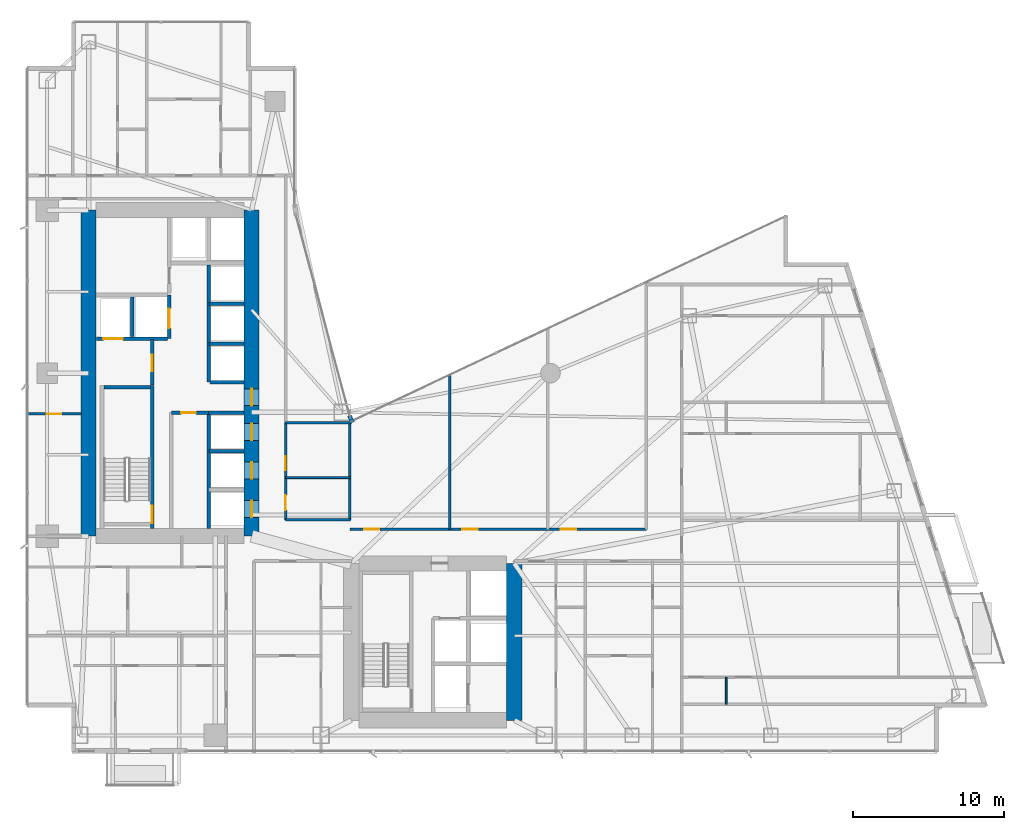
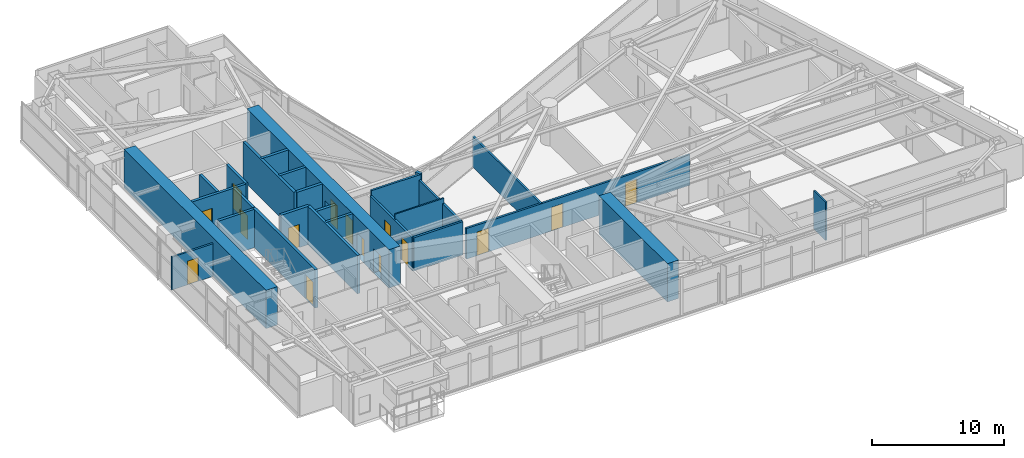
# One storey, part 23 of 30: 27 walls, 15 doors, 15 openings.
"""IFC4 building model written with IfcOpenShell, lengths in metres."""

from ifc_helpers import new_model, si_unit, direction, frame, frame_2d, origin, place, context, subcontext, project, spatial, rectangle, extrude, material, layer, layer_set, type_object, element, fill, save


model = new_model("IFC4")

# Units and contexts
model_context = context("Model", 3, precision=1e-05, world=origin(), true_north=direction((0.0, 1.0)))
body_context = subcontext(model_context, "Body", "Model", "MODEL_VIEW")
ifc_project = project(units=[si_unit("LENGTHUNIT", "METRE"), si_unit("AREAUNIT", "SQUARE_METRE"), si_unit("VOLUMEUNIT", "CUBIC_METRE"), si_unit("PLANEANGLEUNIT", "RADIAN"), si_unit("MASSUNIT", "GRAM", prefix="KILO")], contexts=[model_context])

# Site, building, storey
site_placement = place(None, origin())
site = spatial("IfcSite", under=ifc_project, at=site_placement, CompositionType="ELEMENT")
building_placement = place(site_placement, origin())
building = spatial("IfcBuilding", under=site, at=building_placement, Name="Calvorn Quay Hotel", CompositionType="ELEMENT")
storey_placement = place(building_placement, frame((0.0, 0.0, 77.39990234375)))
storey = spatial("IfcBuildingStorey", under=building, at=storey_placement, Name="L18", CompositionType="ELEMENT", Elevation=77.39990234375)

# Wall
ifc_material_1 = material(Name="Concrete C60", Category="concrete")
ifc_layer_1 = layer(ifc_material_1, 1.0)
ifc_layer_set_1 = layer_set([ifc_layer_1], Name="WL-CORE-1000")
wall_type_1 = type_object("IfcWallType", Name="WL-CORE-1000", PredefinedType="SHEAR", material=ifc_layer_set_1)
wall_1_placement = place(storey_placement, frame((4.199951171875, 16.800048828125, 0.0), z_axis=(0.0, 0.0, 1.0), x_axis=(0.0, 1.0, 0.0)))
element("IfcWall", 1, at=wall_1_placement, inside=storey, type_object=wall_type_1, Name="West Core Shear Wall W (L18)", PredefinedType="SHEAR", context=body_context, shape_type="SweptSolid", body=[
    extrude(rectangle(XDim=21.599853515625, YDim=1.0, at=frame_2d((10.7998046875, 0.0))), origin(), (0.0, 0.0, 1.0), 3.56005859375),
])

# Wall, openings, doors
wall_2_placement = place(storey_placement, frame((15.0, 16.800048828125, 0.0), z_axis=(0.0, 0.0, 1.0), x_axis=(0.0, 1.0, 0.0)))
wall_2 = element("IfcWall", 2, at=wall_2_placement, inside=storey, type_object=wall_type_1, Name="West Core Shear Wall E (L18)", PredefinedType="SHEAR", context=body_context, shape_type="SweptSolid", body=[
    extrude(rectangle(XDim=21.599853515625, YDim=1.0, at=frame_2d((10.7998046875, 0.0))), origin(), (0.0, 0.0, 1.0), 3.56005859375),
])
opening_1_placement = place(wall_2_placement, frame((8.64990234375, 0.0, 0.0)))
opening_1 = element("IfcOpeningElement", 3, at=opening_1_placement, cuts=wall_2, Name="Opening D-L18-CW1", PredefinedType="OPENING", context=body_context, shape_type="SweptSolid", body=[
    extrude(rectangle(XDim=1.10009765625, YDim=2.199951171875, at=frame_2d((0.550048828125, 1.10009765625))), frame((0.0, 0.510009765625, 0.0), z_axis=(0.0, -1.0, 0.0), x_axis=(1.0, 0.0, 0.0)), (0.0, 0.0, 1.0), 1.02001953125),
])
opening_2_placement = place(wall_2_placement, frame((1.25, 0.0, 0.0)))
opening_2 = element("IfcOpeningElement", 4, at=opening_2_placement, cuts=wall_2, Name="Opening LD-L18-L1", PredefinedType="OPENING", context=body_context, shape_type="SweptSolid", body=[
    extrude(rectangle(XDim=1.10009765625, YDim=2.199951171875, at=frame_2d((0.550048828125, 1.10009765625))), frame((0.0, 0.510009765625, 0.0), z_axis=(0.0, -1.0, 0.0), x_axis=(1.0, 0.0, 0.0)), (0.0, 0.0, 1.0), 1.02001953125),
])
opening_3_placement = place(wall_2_placement, frame((3.800048828125, 0.0, 0.0)))
opening_3 = element("IfcOpeningElement", 5, at=opening_3_placement, cuts=wall_2, Name="Opening LD-L18-L2", PredefinedType="OPENING", context=body_context, shape_type="SweptSolid", body=[
    extrude(rectangle(XDim=1.10009765625, YDim=2.199951171875, at=frame_2d((0.550048828125, 1.10009765625))), frame((0.0, 0.510009765625, 0.0), z_axis=(0.0, -1.0, 0.0), x_axis=(1.0, 0.0, 0.0)), (0.0, 0.0, 1.0), 1.02001953125),
])
opening_4_placement = place(wall_2_placement, frame((6.35009765625, 0.0, 0.0)))
opening_4 = element("IfcOpeningElement", 6, at=opening_4_placement, cuts=wall_2, Name="Opening LD-L18-L3", PredefinedType="OPENING", context=body_context, shape_type="SweptSolid", body=[
    extrude(rectangle(XDim=1.10009765625, YDim=2.199951171875, at=frame_2d((0.550048828125, 1.10009765625))), frame((0.0, 0.510009765625, 0.0), z_axis=(0.0, -1.0, 0.0), x_axis=(1.0, 0.0, 0.0)), (0.0, 0.0, 1.0), 1.02001953125),
])
ifc_material_2 = material(Name="Smoke-Sealed Steel Class A Fire Door", Category="steel")
door_type_1 = type_object("IfcDoorType", Name="DR-FFLOBBY-1100", OperationType="NOTDEFINED", PredefinedType="DOOR", material=ifc_material_2)
door_1_placement = place(opening_1_placement, origin())
door_1 = element("IfcDoor", 7, at=door_1_placement, inside=storey, type_object=door_type_1, Name="West Core Vestibule Fire Door (L18)", OperationType="SINGLE_SWING_LEFT", OverallHeight=2.199951171875, OverallWidth=1.10009765625, PredefinedType="DOOR", context=body_context, shape_type="SweptSolid", body=[
    extrude(rectangle(XDim=1.10009765625, YDim=2.199951171875, at=frame_2d((0.550048828125, 1.10009765625))), frame((0.0, 0.02490234375, 0.0), z_axis=(0.0, -1.0, 0.0), x_axis=(1.0, 0.0, 0.0)), (0.0, 0.0, 1.0), 0.050048828125),
])
fill(opening_1, door_1)
ifc_material_3 = material(Name="Brushed Stainless Steel Sliding Lift Landing Door", Category="steel")
door_type_2 = type_object("IfcDoorType", Name="DR-LIFT-PASS-1100", OperationType="NOTDEFINED", PredefinedType="DOOR", material=ifc_material_3)
door_2_placement = place(opening_2_placement, origin())
door_2 = element("IfcDoor", 8, at=door_2_placement, inside=storey, type_object=door_type_2, Name="Low-Rise Lift PL-L1 Landing Door (L18)", OperationType="DOUBLE_DOOR_SLIDING", OverallHeight=2.199951171875, OverallWidth=1.10009765625, PredefinedType="DOOR", context=body_context, shape_type="SweptSolid", body=[
    extrude(rectangle(XDim=1.10009765625, YDim=2.199951171875, at=frame_2d((0.550048828125, 1.10009765625))), frame((0.0, 0.02490234375, 0.0), z_axis=(0.0, -1.0, 0.0), x_axis=(1.0, 0.0, 0.0)), (0.0, 0.0, 1.0), 0.050048828125),
])
fill(opening_2, door_2)
door_3_placement = place(opening_3_placement, origin())
door_3 = element("IfcDoor", 9, at=door_3_placement, inside=storey, type_object=door_type_2, Name="Low-Rise Lift PL-L2 Landing Door (L18)", OperationType="DOUBLE_DOOR_SLIDING", OverallHeight=2.199951171875, OverallWidth=1.10009765625, PredefinedType="DOOR", context=body_context, shape_type="SweptSolid", body=[
    extrude(rectangle(XDim=1.10009765625, YDim=2.199951171875, at=frame_2d((0.550048828125, 1.10009765625))), frame((0.0, 0.02490234375, 0.0), z_axis=(0.0, -1.0, 0.0), x_axis=(1.0, 0.0, 0.0)), (0.0, 0.0, 1.0), 0.050048828125),
])
fill(opening_3, door_3)
door_4_placement = place(opening_4_placement, origin())
door_4 = element("IfcDoor", 10, at=door_4_placement, inside=storey, type_object=door_type_2, Name="Low-Rise Lift PL-L3 Landing Door (L18)", OperationType="DOUBLE_DOOR_SLIDING", OverallHeight=2.199951171875, OverallWidth=1.10009765625, PredefinedType="DOOR", context=body_context, shape_type="SweptSolid", body=[
    extrude(rectangle(XDim=1.10009765625, YDim=2.199951171875, at=frame_2d((0.550048828125, 1.10009765625))), frame((0.0, 0.02490234375, 0.0), z_axis=(0.0, -1.0, 0.0), x_axis=(1.0, 0.0, 0.0)), (0.0, 0.0, 1.0), 0.050048828125),
])
fill(opening_4, door_4)

# Walls
wall_3_placement = place(storey_placement, frame((32.39990234375, 4.60009765625, 0.0), z_axis=(0.0, 0.0, 1.0), x_axis=(0.0, 1.0, 0.0)))
element("IfcWall", 11, at=wall_3_placement, inside=storey, type_object=wall_type_1, Name="East Core Shear Wall E (L18)", PredefinedType="SHEAR", context=body_context, shape_type="SweptSolid", body=[
    extrude(rectangle(XDim=10.39990234375, YDim=1.0, at=frame_2d((5.199951171875, 0.0))), origin(), (0.0, 0.0, 1.0), 3.56005859375),
])
ifc_material_4 = material(Name="Acoustic Fireboard Steel-Stud Partition", Category="steel")
ifc_layer_2 = layer(ifc_material_4, 0.179931640625)
ifc_layer_set_2 = layer_set([ifc_layer_2], Name="WL-CORR-FIRE-180")
wall_type_2 = type_object("IfcWallType", Name="WL-CORR-FIRE-180", PredefinedType="PARTITIONING", material=ifc_layer_set_2)
wall_4_placement = place(storey_placement, frame((17.25, 17.8798828125, 0.0), z_axis=(0.0, 0.0, 1.0), x_axis=(1.0, 0.0, 0.0)))
element("IfcWall", 12, at=wall_4_placement, inside=storey, type_object=wall_type_2, Name="Partition Wall L18-WL-HK-S", PredefinedType="PARTITIONING", context=body_context, shape_type="SweptSolid", body=[
    extrude(rectangle(XDim=4.300048828125, YDim=0.179931640625, at=frame_2d((2.14990234375, 0.0))), origin(), (0.0, 0.0, 1.0), 3.090087890625),
])
wall_5_placement = place(storey_placement, frame((17.25, 24.320068359375, 0.0), z_axis=(0.0, 0.0, 1.0), x_axis=(1.0, 0.0, 0.0)))
element("IfcWall", 13, at=wall_5_placement, inside=storey, type_object=wall_type_2, Name="Partition Wall L18-WL-HK-N", PredefinedType="PARTITIONING", context=body_context, shape_type="SweptSolid", body=[
    extrude(rectangle(XDim=4.35009765625, YDim=0.179931640625, at=frame_2d((2.175048828125, 0.0))), origin(), (0.0, 0.0, 1.0), 3.56005859375),
])
wall_6_placement = place(storey_placement, frame((21.5, 17.8798828125, 0.0), z_axis=(0.0, 0.0, 1.0), x_axis=(0.0, 1.0, 0.0)))
element("IfcWall", 14, at=wall_6_placement, inside=storey, type_object=wall_type_2, Name="Partition Wall L18-WL-HK-E", PredefinedType="PARTITIONING", context=body_context, shape_type="SweptSolid", body=[
    extrude(rectangle(XDim=6.440185546875, YDim=0.179931640625, at=frame_2d((3.22021484375, 0.0))), origin(), (0.0, 0.0, 1.0), 3.090087890625),
])

# Wall, openings, doors
wall_7_placement = place(storey_placement, frame((17.25, 17.8798828125, 0.0), z_axis=(0.0, 0.0, 1.0), x_axis=(0.0, 1.0, 0.0)))
wall_7 = element("IfcWall", 15, at=wall_7_placement, inside=storey, type_object=wall_type_2, Name="Partition Wall L18-WL-HK-W", PredefinedType="PARTITIONING", context=body_context, shape_type="SweptSolid", body=[
    extrude(rectangle(XDim=6.440185546875, YDim=0.179931640625, at=frame_2d((3.22021484375, 0.0))), origin(), (0.0, 0.0, 1.0), 3.090087890625),
])
opening_5_placement = place(wall_7_placement, frame((0.64990234375, 0.0, 0.0)))
opening_5 = element("IfcOpeningElement", 16, at=opening_5_placement, cuts=wall_7, Name="Opening D-L18-HK", PredefinedType="OPENING", context=body_context, shape_type="SweptSolid", body=[
    extrude(rectangle(XDim=0.97998046875, YDim=2.14990234375, at=frame_2d((0.489990234375, 1.074951171875))), frame((0.0, 0.099853515625, 0.0), z_axis=(0.0, -1.0, 0.0), x_axis=(1.0, 0.0, 0.0)), (0.0, 0.0, 1.0), 0.199951171875),
])
opening_6_placement = place(wall_7_placement, frame((3.27001953125, 0.0, 0.0)))
opening_6 = element("IfcOpeningElement", 17, at=opening_6_placement, cuts=wall_7, Name="Opening D-L18-NCP", PredefinedType="OPENING", context=body_context, shape_type="SweptSolid", body=[
    extrude(rectangle(XDim=0.9599609375, YDim=2.199951171875, at=frame_2d((0.47998046875, 1.10009765625))), frame((0.0, 0.099853515625, 0.0), z_axis=(0.0, -1.0, 0.0), x_axis=(1.0, 0.0, 0.0)), (0.0, 0.0, 1.0), 0.199951171875),
])
ifc_material_5 = material(Name="Painted Steel Housekeeping/Riser Fire Door", Category="steel")
door_type_3 = type_object("IfcDoorType", Name="DR-SERVICE-980", OperationType="NOTDEFINED", PredefinedType="DOOR", material=ifc_material_5)
door_5_placement = place(opening_5_placement, origin())
door_5 = element("IfcDoor", 18, at=door_5_placement, inside=storey, type_object=door_type_3, Name="Floor Housekeeping Door (L18)", OperationType="SINGLE_SWING_LEFT", OverallHeight=2.14990234375, OverallWidth=0.97998046875, PredefinedType="DOOR", context=body_context, shape_type="SweptSolid", body=[
    extrude(rectangle(XDim=0.97998046875, YDim=2.14990234375, at=frame_2d((0.489990234375, 1.074951171875))), frame((0.0, 0.02490234375, 0.0), z_axis=(0.0, -1.0, 0.0), x_axis=(1.0, 0.0, 0.0)), (0.0, 0.0, 1.0), 0.050048828125),
])
fill(opening_5, door_5)
ifc_material_6 = material(Name="Solid Timber Internal Suite Door", Category="wood")
door_type_4 = type_object("IfcDoorType", Name="DR-SUITE-INT-960", OperationType="NOTDEFINED", PredefinedType="DOOR", material=ifc_material_6)
door_6_placement = place(opening_6_placement, origin())
door_6 = element("IfcDoor", 19, at=door_6_placement, inside=storey, type_object=door_type_4, Name="Reading Alcove Door (L18)", OperationType="SINGLE_SWING_RIGHT", OverallHeight=2.199951171875, OverallWidth=0.9599609375, PredefinedType="DOOR", context=body_context, shape_type="SweptSolid", body=[
    extrude(rectangle(XDim=0.9599609375, YDim=2.199951171875, at=frame_2d((0.47998046875, 1.10009765625))), frame((0.0, 0.02490234375, 0.0), z_axis=(0.0, -1.0, 0.0), x_axis=(1.0, 0.0, 0.0)), (0.0, 0.0, 1.0), 0.050048828125),
])
fill(opening_6, door_6)

wall_8_placement = place(storey_placement, frame((21.5, 17.25, 0.0), z_axis=(0.0, 0.0, 1.0), x_axis=(1.0, 0.0, 0.0)))
wall_8 = element("IfcWall", 20, at=wall_8_placement, inside=storey, type_object=wall_type_2, Name="Partition Wall L18-WL-CORR-NE-N", PredefinedType="PARTITIONING", context=body_context, shape_type="SweptSolid", body=[
    extrude(rectangle(XDim=19.64990234375, YDim=0.179931640625, at=frame_2d((9.824951171875, 0.0))), origin(), (0.0, 0.0, 1.0), 2.840087890625),
])
opening_7_placement = place(wall_8_placement, frame((0.949951171875, 0.0, 0.0)))
opening_7 = element("IfcOpeningElement", 21, at=opening_7_placement, cuts=wall_8, Name="Opening D-L18-NS1", PredefinedType="OPENING", context=body_context, shape_type="SweptSolid", body=[
    extrude(rectangle(XDim=1.02001953125, YDim=2.199951171875, at=frame_2d((0.510009765625, 1.10009765625))), frame((0.0, 0.099853515625, 0.0), z_axis=(0.0, -1.0, 0.0), x_axis=(1.0, 0.0, 0.0)), (0.0, 0.0, 1.0), 0.199951171875),
])
opening_8_placement = place(wall_8_placement, frame((7.469970703125, 0.0, 0.0)))
opening_8 = element("IfcOpeningElement", 22, at=opening_8_placement, cuts=wall_8, Name="Opening D-L18-NS2", PredefinedType="OPENING", context=body_context, shape_type="SweptSolid", body=[
    extrude(rectangle(XDim=1.02001953125, YDim=2.199951171875, at=frame_2d((0.510009765625, 1.10009765625))), frame((0.0, 0.099853515625, 0.0), z_axis=(0.0, -1.0, 0.0), x_axis=(1.0, 0.0, 0.0)), (0.0, 0.0, 1.0), 0.199951171875),
])
opening_9_placement = place(wall_8_placement, frame((13.97998046875, 0.0, 0.0)))
opening_9 = element("IfcOpeningElement", 23, at=opening_9_placement, cuts=wall_8, Name="Opening D-L18-NS3", PredefinedType="OPENING", context=body_context, shape_type="SweptSolid", body=[
    extrude(rectangle(XDim=1.02001953125, YDim=2.199951171875, at=frame_2d((0.510009765625, 1.10009765625))), frame((0.0, 0.099853515625, 0.0), z_axis=(0.0, -1.0, 0.0), x_axis=(1.0, 0.0, 0.0)), (0.0, 0.0, 1.0), 0.199951171875),
])
ifc_material_7 = material(Name="Solid-Core Walnut Veneer Hotel Fire Door")
door_type_5 = type_object("IfcDoorType", Name="DR-GUEST-ENTRY-1020", OperationType="NOTDEFINED", PredefinedType="DOOR", material=ifc_material_7)
door_7_placement = place(opening_7_placement, origin())
door_7 = element("IfcDoor", 24, at=door_7_placement, inside=storey, type_object=door_type_5, Name="Conservatory Salon Door 1 (L18)", OperationType="SINGLE_SWING_RIGHT", OverallHeight=2.199951171875, OverallWidth=1.02001953125, PredefinedType="DOOR", context=body_context, shape_type="SweptSolid", body=[
    extrude(rectangle(XDim=1.02001953125, YDim=2.199951171875, at=frame_2d((0.510009765625, 1.10009765625))), frame((0.0, 0.02490234375, 0.0), z_axis=(0.0, -1.0, 0.0), x_axis=(1.0, 0.0, 0.0)), (0.0, 0.0, 1.0), 0.050048828125),
])
fill(opening_7, door_7)
door_8_placement = place(opening_8_placement, origin())
door_8 = element("IfcDoor", 25, at=door_8_placement, inside=storey, type_object=door_type_5, Name="Conservatory Salon Door 2 (L18)", OperationType="SINGLE_SWING_LEFT", OverallHeight=2.199951171875, OverallWidth=1.02001953125, PredefinedType="DOOR", context=body_context, shape_type="SweptSolid", body=[
    extrude(rectangle(XDim=1.02001953125, YDim=2.199951171875, at=frame_2d((0.510009765625, 1.10009765625))), frame((0.0, 0.02490234375, 0.0), z_axis=(0.0, -1.0, 0.0), x_axis=(1.0, 0.0, 0.0)), (0.0, 0.0, 1.0), 0.050048828125),
])
fill(opening_8, door_8)
door_9_placement = place(opening_9_placement, origin())
door_9 = element("IfcDoor", 26, at=door_9_placement, inside=storey, type_object=door_type_5, Name="Conservatory Salon Door 3 (L18)", OperationType="SINGLE_SWING_RIGHT", OverallHeight=2.199951171875, OverallWidth=1.02001953125, PredefinedType="DOOR", context=body_context, shape_type="SweptSolid", body=[
    extrude(rectangle(XDim=1.02001953125, YDim=2.199951171875, at=frame_2d((0.510009765625, 1.10009765625))), frame((0.0, 0.02490234375, 0.0), z_axis=(0.0, -1.0, 0.0), x_axis=(1.0, 0.0, 0.0)), (0.0, 0.0, 1.0), 0.050048828125),
])
fill(opening_9, door_9)

# Walls
ifc_material_8 = material(Name="Moisture-Resistant Tile-Backed Partition")
ifc_layer_3 = layer(ifc_material_8, 0.125)
ifc_layer_set_3 = layer_set([ifc_layer_3], Name="WL-ENSUITE-125")
wall_type_3 = type_object("IfcWallType", Name="WL-ENSUITE-125", PredefinedType="PARTITIONING", material=ifc_layer_set_3)
wall_9_placement = place(storey_placement, frame((17.25, 20.679931640625, 0.0), z_axis=(0.0, 0.0, 1.0), x_axis=(1.0, 0.0, 0.0)))
element("IfcWall", 27, at=wall_9_placement, inside=storey, type_object=wall_type_3, Name="Partition Wall L18-WL-HK-M", PredefinedType="PARTITIONING", context=body_context, shape_type="SweptSolid", body=[
    extrude(rectangle(XDim=4.300048828125, YDim=0.125, at=frame_2d((2.14990234375, 0.0))), origin(), (0.0, 0.0, 1.0), 3.56005859375),
])
wall_10_placement = place(storey_placement, frame((46.449951171875, 5.659912109375, 0.0), z_axis=(0.0, 0.0, 1.0), x_axis=(0.0, 1.0, 0.0)))
element("IfcWall", 28, at=wall_10_placement, inside=storey, type_object=wall_type_3, Name="Partition Wall L18-WL-U08-BDV", PredefinedType="PARTITIONING", context=body_context, shape_type="SweptSolid", body=[
    extrude(rectangle(XDim=1.7900390625, YDim=0.125, at=frame_2d((0.89501953125, 0.0))), origin(), (0.0, 0.0, 1.0), 3.56005859375),
])
ifc_material_9 = material(Name="Concrete C40", Category="concrete")
ifc_layer_4 = layer(ifc_material_9, 0.320068359375)
ifc_layer_set_4 = layer_set([ifc_layer_4], Name="WL-EXT-SPANDREL-320")
wall_type_4 = type_object("IfcWallType", Name="WL-EXT-SPANDREL-320", PredefinedType="SOLIDWALL", material=ifc_layer_set_4)
wall_11_placement = place(storey_placement, frame((21.679931640625, 24.340087890625, 0.0), z_axis=(0.0, 0.0, 1.0), x_axis=(-0.40758134973, 0.913168901875, 0.0)))
element("IfcWall", 29, at=wall_11_placement, inside=storey, type_object=wall_type_4, Name="Inner Court Corner Pier L18-ICJ1", PredefinedType="SOLIDWALL", context=body_context, shape_type="SweptSolid", body=[
    extrude(rectangle(XDim=0.470703125, YDim=0.280029296875, at=frame_2d((0.2353515625, 0.0))), origin(), (0.0, 0.0, 1.0), 3.56005859375),
])

# Wall, opening, door
ifc_material_10 = material(Name="Double-Stud Acoustic Gypsum Partition")
ifc_layer_5 = layer(ifc_material_10, 0.159912109375)
ifc_layer_set_5 = layer_set([ifc_layer_5], Name="WL-INTERSUITE-160")
wall_type_5 = type_object("IfcWallType", Name="WL-INTERSUITE-160", PredefinedType="PARTITIONING", material=ifc_layer_set_5)
wall_12_placement = place(storey_placement, frame((0.080078125, 24.89990234375, 0.0), z_axis=(0.0, 0.0, 1.0), x_axis=(1.0, 0.0, 0.0)))
wall_12 = element("IfcWall", 30, at=wall_12_placement, inside=storey, type_object=wall_type_5, Name="Partition Wall L18-WL-WBAY-DIV", PredefinedType="PARTITIONING", context=body_context, shape_type="SweptSolid", body=[
    extrude(rectangle(XDim=3.64990234375, YDim=0.159912109375, at=frame_2d((1.824951171875, 0.0))), origin(), (0.0, 0.0, 1.0), 3.0400390625),
])
opening_10_placement = place(wall_12_placement, frame((1.35009765625, 0.0, 0.0)))
opening_10 = element("IfcOpeningElement", 31, at=opening_10_placement, cuts=wall_12, Name="Opening D-L18-WBD", PredefinedType="OPENING", context=body_context, shape_type="SweptSolid", body=[
    extrude(rectangle(XDim=0.9599609375, YDim=2.199951171875, at=frame_2d((0.47998046875, 1.10009765625))), frame((0.0, 0.08984375, 0.0), z_axis=(0.0, -1.0, 0.0), x_axis=(1.0, 0.0, 0.0)), (0.0, 0.0, 1.0), 0.179931640625),
])
door_10_placement = place(opening_10_placement, origin())
door_10 = element("IfcDoor", 32, at=door_10_placement, inside=storey, type_object=door_type_4, Name="West Bay Connecting Door (L18)", OperationType="SINGLE_SWING_LEFT", OverallHeight=2.199951171875, OverallWidth=0.9599609375, PredefinedType="DOOR", context=body_context, shape_type="SweptSolid", body=[
    extrude(rectangle(XDim=0.9599609375, YDim=2.199951171875, at=frame_2d((0.47998046875, 1.10009765625))), frame((0.0, 0.02490234375, 0.0), z_axis=(0.0, -1.0, 0.0), x_axis=(1.0, 0.0, 0.0)), (0.0, 0.0, 1.0), 0.050048828125),
])
fill(opening_10, door_10)

# Wall
wall_13_placement = place(storey_placement, frame((28.1201171875, 17.25, 0.0), z_axis=(0.0, 0.0, 1.0), x_axis=(0.0, 1.0, 0.0)))
element("IfcWall", 33, at=wall_13_placement, inside=storey, type_object=wall_type_5, Name="Partition Wall L18-WL-NE-DIV-1", PredefinedType="PARTITIONING", context=body_context, shape_type="SweptSolid", body=[
    extrude(rectangle(XDim=10.31005859375, YDim=0.159912109375, at=frame_2d((5.155029296875, 0.0))), origin(), (0.0, 0.0, 1.0), 2.840087890625),
])

# Wall, opening, door
ifc_material_11 = material(Name="Concrete C40", Category="concrete")
ifc_layer_6 = layer(ifc_material_11, 0.239990234375)
ifc_layer_set_6 = layer_set([ifc_layer_6], Name="WL-SHAFT-240")
wall_type_6 = type_object("IfcWallType", Name="WL-SHAFT-240", PredefinedType="SOLIDWALL", material=ifc_layer_set_6)
wall_14_placement = place(storey_placement, frame((8.419921875, 17.300048828125, 0.0), z_axis=(0.0, 0.0, 1.0), x_axis=(0.0, 1.0, 0.0)))
wall_14 = element("IfcWall", 34, at=wall_14_placement, inside=storey, type_object=wall_type_6, Name="Stair STW Shaft Wall E (L18)", PredefinedType="SOLIDWALL", context=body_context, shape_type="SweptSolid", body=[
    extrude(rectangle(XDim=9.489990234375, YDim=0.239990234375, at=frame_2d((4.7451171875, 0.0))), origin(), (0.0, 0.0, 1.0), 3.56005859375),
])
opening_11_placement = place(wall_14_placement, frame((0.35009765625, 0.0, 0.0)))
opening_11 = element("IfcOpeningElement", 35, at=opening_11_placement, cuts=wall_14, Name="Opening D-L18-STW", PredefinedType="OPENING", context=body_context, shape_type="SweptSolid", body=[
    extrude(rectangle(XDim=1.14990234375, YDim=2.199951171875, at=frame_2d((0.574951171875, 1.10009765625))), frame((0.0, 0.1298828125, 0.0), z_axis=(0.0, -1.0, 0.0), x_axis=(1.0, 0.0, 0.0)), (0.0, 0.0, 1.0), 0.260009765625),
])
ifc_material_12 = material(Name="Galvanised Steel Class A Fire Door", Category="steel")
door_type_6 = type_object("IfcDoorType", Name="DR-STAIR-SMOKE-1150", OperationType="NOTDEFINED", PredefinedType="DOOR", material=ifc_material_12)
door_11_placement = place(opening_11_placement, origin())
door_11 = element("IfcDoor", 36, at=door_11_placement, inside=storey, type_object=door_type_6, Name="Stair ST-W Fire Door (L18)", OperationType="SINGLE_SWING_LEFT", OverallHeight=2.199951171875, OverallWidth=1.14990234375, PredefinedType="DOOR", context=body_context, shape_type="SweptSolid", body=[
    extrude(rectangle(XDim=1.14990234375, YDim=2.199951171875, at=frame_2d((0.574951171875, 1.10009765625))), frame((0.0, 0.02490234375, 0.0), z_axis=(0.0, -1.0, 0.0), x_axis=(1.0, 0.0, 0.0)), (0.0, 0.0, 1.0), 0.050048828125),
])
fill(opening_11, door_11)

# Walls
wall_15_placement = place(storey_placement, frame((5.199951171875, 26.669921875, 0.0), z_axis=(0.0, 0.0, 1.0), x_axis=(1.0, 0.0, 0.0)))
element("IfcWall", 37, at=wall_15_placement, inside=storey, type_object=wall_type_6, Name="Stair STW Shaft Wall N (L18)", PredefinedType="SOLIDWALL", context=body_context, shape_type="SweptSolid", body=[
    extrude(rectangle(XDim=3.10009765625, YDim=0.239990234375, at=frame_2d((1.550048828125, 0.0))), origin(), (0.0, 0.0, 1.0), 3.56005859375),
])
for number, where, z_axis, x_axis, name in (
    (38, (12.179931640625, 22.425048828125, 0.0), (0.0, 0.0, 1.0), (1.0, 0.0, 0.0), "Lift Hoistway Divider Wall PLL23 (L18)"),
    (39, (12.179931640625, 29.550048828125, 0.0), (0.0, 0.0, 1.0), (1.0, 0.0, 0.0), "Lift Hoistway Divider Wall PLM12 (L18)"),
    (40, (12.179931640625, 32.199951171875, 0.0), (0.0, 0.0, 1.0), (1.0, 0.0, 0.0), "Lift Hoistway Divider Wall PLM23 (L18)"),
):
    element("IfcWall", number, at=place(storey_placement, frame(where, z_axis=z_axis, x_axis=x_axis)), inside=storey, type_object=wall_type_6, Name=name, PredefinedType="SOLIDWALL", context=body_context, shape_type="SweptSolid", body=[
        extrude(rectangle(XDim=2.320068359375, YDim=0.239990234375, at=frame_2d((1.16015625, 0.0))), origin(), (0.0, 0.0, 1.0), 3.56005859375),
    ])

# Wall, opening, door
wall_16_placement = place(storey_placement, frame((8.419921875, 26.820068359375, 0.0), z_axis=(0.0, 0.0, 1.0), x_axis=(0.0, 1.0, 0.0)))
wall_16 = element("IfcWall", 41, at=wall_16_placement, inside=storey, type_object=wall_type_6, Name="Partition Wall L18-WL-CWW-FFL-E", PredefinedType="SOLIDWALL", context=body_context, shape_type="SweptSolid", body=[
    extrude(rectangle(XDim=3.0, YDim=0.239990234375, at=frame_2d((1.5, 0.0))), origin(), (0.0, 0.0, 1.0), 3.56005859375),
])
opening_12_placement = place(wall_16_placement, frame((0.89990234375, 0.0, 0.0)))
opening_12 = element("IfcOpeningElement", 42, at=opening_12_placement, cuts=wall_16, Name="Opening D-L18-FLW", PredefinedType="OPENING", context=body_context, shape_type="SweptSolid", body=[
    extrude(rectangle(XDim=1.10009765625, YDim=2.199951171875, at=frame_2d((0.550048828125, 1.10009765625))), frame((0.0, 0.1298828125, 0.0), z_axis=(0.0, -1.0, 0.0), x_axis=(1.0, 0.0, 0.0)), (0.0, 0.0, 1.0), 0.260009765625),
])
door_12_placement = place(opening_12_placement, origin())
door_12 = element("IfcDoor", 43, at=door_12_placement, inside=storey, type_object=door_type_1, Name="West Firefighting Lobby Fire Door (L18)", OperationType="SINGLE_SWING_RIGHT", OverallHeight=2.199951171875, OverallWidth=1.10009765625, PredefinedType="DOOR", context=body_context, shape_type="SweptSolid", body=[
    extrude(rectangle(XDim=1.10009765625, YDim=2.199951171875, at=frame_2d((0.550048828125, 1.10009765625))), frame((0.0, 0.02490234375, 0.0), z_axis=(0.0, -1.0, 0.0), x_axis=(1.0, 0.0, 0.0)), (0.0, 0.0, 1.0), 0.050048828125),
])
fill(opening_12, door_12)

wall_17_placement = place(storey_placement, frame((4.719970703125, 29.8798828125, 0.0), z_axis=(0.0, 0.0, 1.0), x_axis=(1.0, 0.0, 0.0)))
wall_17 = element("IfcWall", 44, at=wall_17_placement, inside=storey, type_object=wall_type_6, Name="Partition Wall L18-WL-CWW-FLW-S", PredefinedType="SOLIDWALL", context=body_context, shape_type="SweptSolid", body=[
    extrude(rectangle(XDim=4.699951171875, YDim=0.239990234375, at=frame_2d((2.35009765625, 0.0))), origin(), (0.0, 0.0, 1.0), 3.56005859375),
])
opening_13_placement = place(wall_17_placement, frame((0.449951171875, 0.0, 0.0)))
opening_13 = element("IfcOpeningElement", 45, at=opening_13_placement, cuts=wall_17, Name="Opening LD-L18-FLW1", PredefinedType="OPENING", context=body_context, shape_type="SweptSolid", body=[
    extrude(rectangle(XDim=1.300048828125, YDim=2.35009765625, at=frame_2d((0.64990234375, 1.175048828125))), frame((0.0, 0.1298828125, 0.0), z_axis=(0.0, -1.0, 0.0), x_axis=(1.0, 0.0, 0.0)), (0.0, 0.0, 1.0), 0.260009765625),
])
ifc_material_13 = material(Name="Champagne-Bronze Sliding Express Lift Landing Door")
door_type_7 = type_object("IfcDoorType", Name="DR-LIFT-SHUTTLE-1300", OperationType="NOTDEFINED", PredefinedType="DOOR", material=ifc_material_13)
door_13_placement = place(opening_13_placement, origin())
door_13 = element("IfcDoor", 46, at=door_13_placement, inside=storey, type_object=door_type_7, Name="Firefighting Lift FL-W1 Landing Door (L18)", OperationType="DOUBLE_DOOR_SLIDING", OverallHeight=2.35009765625, OverallWidth=1.300048828125, PredefinedType="DOOR", context=body_context, shape_type="SweptSolid", body=[
    extrude(rectangle(XDim=1.300048828125, YDim=2.35009765625, at=frame_2d((0.64990234375, 1.175048828125))), frame((0.0, 0.02490234375, 0.0), z_axis=(0.0, -1.0, 0.0), x_axis=(1.0, 0.0, 0.0)), (0.0, 0.0, 1.0), 0.050048828125),
])
fill(opening_13, door_13)

# Wall
wall_18_placement = place(storey_placement, frame((7.10009765625, 30.02001953125, 0.0), z_axis=(0.0, 0.0, 1.0), x_axis=(0.0, 1.0, 0.0)))
element("IfcWall", 47, at=wall_18_placement, inside=storey, type_object=wall_type_6, Name="Partition Wall L18-WL-CWW-FLW-DIV", PredefinedType="SOLIDWALL", context=body_context, shape_type="SweptSolid", body=[
    extrude(rectangle(XDim=2.6298828125, YDim=0.239990234375, at=frame_2d((1.31494140625, 0.0))), origin(), (0.0, 0.0, 1.0), 3.56005859375),
])

# Wall, opening, door
wall_19_placement = place(storey_placement, frame((9.5400390625, 29.8798828125, 0.0), z_axis=(0.0, 0.0, 1.0), x_axis=(0.0, 1.0, 0.0)))
wall_19 = element("IfcWall", 48, at=wall_19_placement, inside=storey, type_object=wall_type_6, Name="Partition Wall L18-WL-CWW-SLW-E", PredefinedType="SOLIDWALL", context=body_context, shape_type="SweptSolid", body=[
    extrude(rectangle(XDim=2.900146484375, YDim=0.239990234375, at=frame_2d((1.4501953125, 0.0))), origin(), (0.0, 0.0, 1.0), 3.56005859375),
])
opening_14_placement = place(wall_19_placement, frame((0.699951171875, 0.0, 0.0)))
opening_14 = element("IfcOpeningElement", 49, at=opening_14_placement, cuts=wall_19, Name="Opening LD-L18-SLW1", PredefinedType="OPENING", context=body_context, shape_type="SweptSolid", body=[
    extrude(rectangle(XDim=1.300048828125, YDim=2.35009765625, at=frame_2d((0.64990234375, 1.175048828125))), frame((0.0, 0.1298828125, 0.0), z_axis=(0.0, -1.0, 0.0), x_axis=(1.0, 0.0, 0.0)), (0.0, 0.0, 1.0), 0.260009765625),
])
door_14_placement = place(opening_14_placement, origin())
door_14 = element("IfcDoor", 50, at=door_14_placement, inside=storey, type_object=door_type_7, Name="Service Lift SL-W1 Landing Door (L18)", OperationType="DOUBLE_DOOR_SLIDING", OverallHeight=2.35009765625, OverallWidth=1.300048828125, PredefinedType="DOOR", context=body_context, shape_type="SweptSolid", body=[
    extrude(rectangle(XDim=1.300048828125, YDim=2.35009765625, at=frame_2d((0.64990234375, 1.175048828125))), frame((0.0, 0.02490234375, 0.0), z_axis=(0.0, -1.0, 0.0), x_axis=(1.0, 0.0, 0.0)), (0.0, 0.0, 1.0), 0.050048828125),
])
fill(opening_14, door_14)

# Wall
wall_20_placement = place(storey_placement, frame((12.14990234375, 17.320068359375, 0.0), z_axis=(0.0, 0.0, 1.0), x_axis=(0.0, 1.0, 0.0)))
element("IfcWall", 51, at=wall_20_placement, inside=storey, type_object=wall_type_6, Name="Partition Wall L18-WL-CWW-PLL-W", PredefinedType="SOLIDWALL", context=body_context, shape_type="SweptSolid", body=[
    extrude(rectangle(XDim=7.64990234375, YDim=0.239990234375, at=frame_2d((3.824951171875, 0.0))), origin(), (0.0, 0.0, 1.0), 3.56005859375),
])

# Wall, opening, door
wall_21_placement = place(storey_placement, frame((9.679931640625, 24.969970703125, 0.0), z_axis=(0.0, 0.0, 1.0), x_axis=(1.0, 0.0, 0.0)))
wall_21 = element("IfcWall", 52, at=wall_21_placement, inside=storey, type_object=wall_type_6, Name="Partition Wall L18-WL-CWW-SER-N", PredefinedType="SOLIDWALL", context=body_context, shape_type="SweptSolid", body=[
    extrude(rectangle(XDim=2.469970703125, YDim=0.239990234375, at=frame_2d((1.23486328125, 0.0))), origin(), (0.0, 0.0, 1.0), 3.56005859375),
])
opening_15_placement = place(wall_21_placement, frame((0.64990234375, 0.0, 0.0)))
opening_15 = element("IfcOpeningElement", 53, at=opening_15_placement, cuts=wall_21, Name="Opening D-L18-CSR", PredefinedType="OPENING", context=body_context, shape_type="SweptSolid", body=[
    extrude(rectangle(XDim=0.97998046875, YDim=2.14990234375, at=frame_2d((0.489990234375, 1.074951171875))), frame((0.0, 0.1298828125, 0.0), z_axis=(0.0, -1.0, 0.0), x_axis=(1.0, 0.0, 0.0)), (0.0, 0.0, 1.0), 0.260009765625),
])
door_15_placement = place(opening_15_placement, origin())
door_15 = element("IfcDoor", 54, at=door_15_placement, inside=storey, type_object=door_type_3, Name="Core Service Closet Door (L18)", OperationType="SINGLE_SWING_LEFT", OverallHeight=2.14990234375, OverallWidth=0.97998046875, PredefinedType="DOOR", context=body_context, shape_type="SweptSolid", body=[
    extrude(rectangle(XDim=0.97998046875, YDim=2.14990234375, at=frame_2d((0.489990234375, 1.074951171875))), frame((0.0, 0.02490234375, 0.0), z_axis=(0.0, -1.0, 0.0), x_axis=(1.0, 0.0, 0.0)), (0.0, 0.0, 1.0), 0.050048828125),
])
fill(opening_15, door_15)

# Walls
wall_22_placement = place(storey_placement, frame((12.14990234375, 24.969970703125, 0.0), z_axis=(0.0, 0.0, 1.0), x_axis=(1.0, 0.0, 0.0)))
element("IfcWall", 55, at=wall_22_placement, inside=storey, type_object=wall_type_6, Name="Partition Wall L18-WL-CWW-PLL-SHN", PredefinedType="SOLIDWALL", context=body_context, shape_type="SweptSolid", body=[
    extrude(rectangle(XDim=2.330078125, YDim=0.239990234375, at=frame_2d((1.1650390625, 0.0))), origin(), (0.0, 0.0, 1.0), 2.840087890625),
])
wall_23_placement = place(storey_placement, frame((12.25, 27.0, 0.0), z_axis=(0.0, 0.0, 1.0), x_axis=(1.0, 0.0, 0.0)))
element("IfcWall", 56, at=wall_23_placement, inside=storey, type_object=wall_type_6, Name="Partition Wall L18-WL-CWW-PLM-S", PredefinedType="SOLIDWALL", context=body_context, shape_type="SweptSolid", body=[
    extrude(rectangle(XDim=2.22998046875, YDim=0.239990234375, at=frame_2d((1.114990234375, 0.0))), origin(), (0.0, 0.0, 1.0), 3.56005859375),
])
wall_24_placement = place(storey_placement, frame((12.14990234375, 27.0, 0.0), z_axis=(0.0, 0.0, 1.0), x_axis=(0.0, 1.0, 0.0)))
element("IfcWall", 57, at=wall_24_placement, inside=storey, type_object=wall_type_6, Name="Partition Wall L18-WL-CWW-PLM-W", PredefinedType="SOLIDWALL", context=body_context, shape_type="SweptSolid", body=[
    extrude(rectangle(XDim=7.75, YDim=0.239990234375, at=frame_2d((3.875, 0.0))), origin(), (0.0, 0.0, 1.0), 3.56005859375),
])

save(model, "model.ifc")
